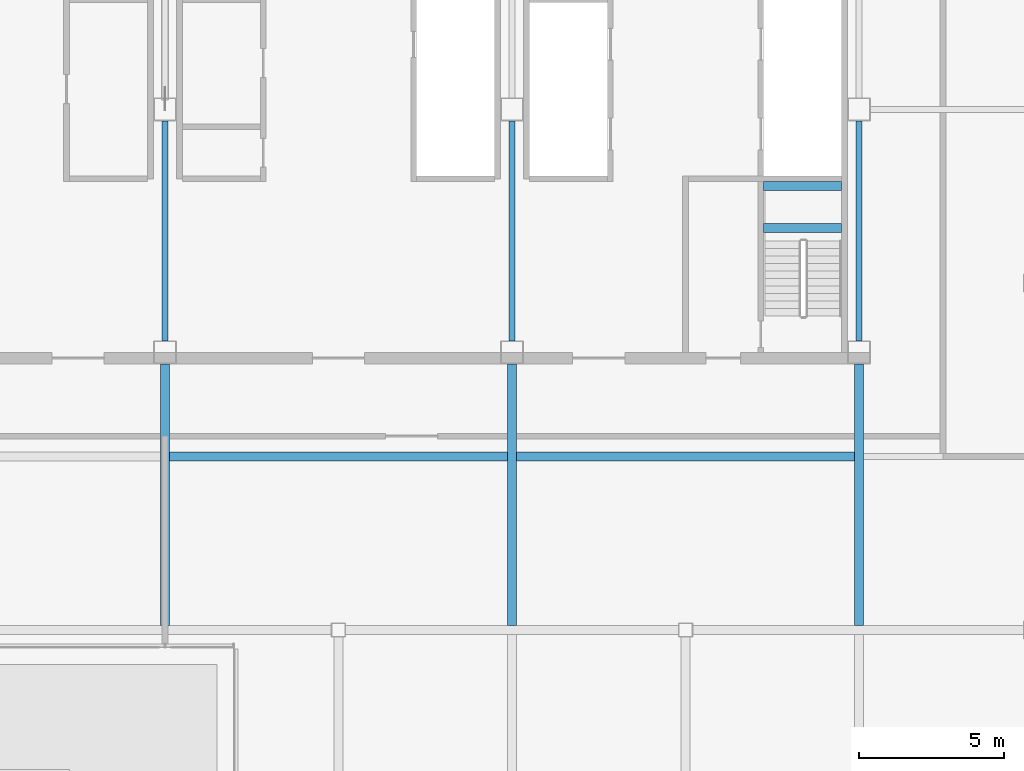
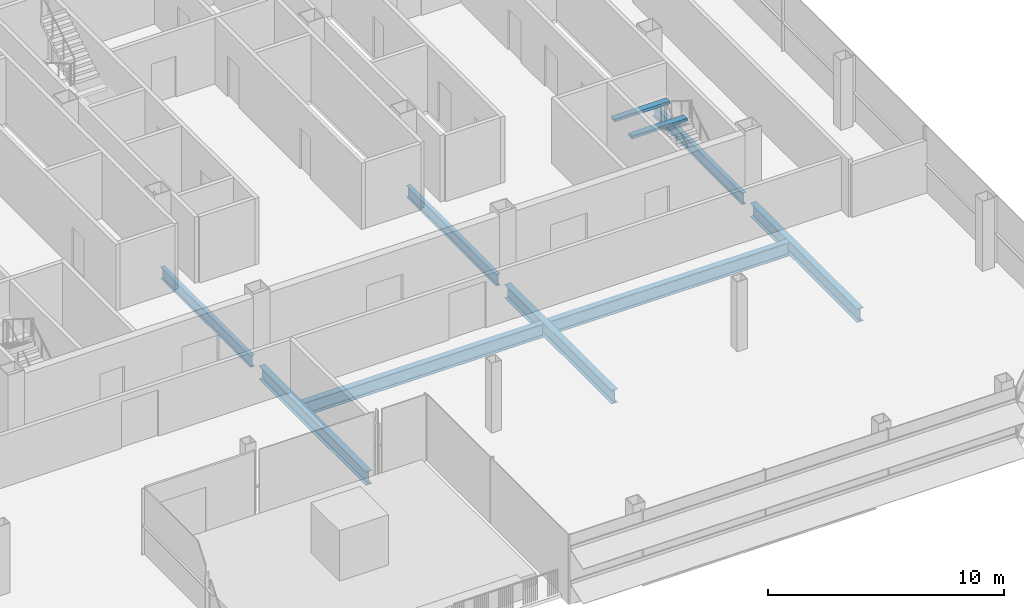
# One storey, part 11 of 27: 10 beams.
"""IFC4 building model written with IfcOpenShell, lengths in metres."""

from ifc_helpers import new_model, si_unit, direction, frame, origin, origin_2d, place, context, subcontext, project, spatial, rectangle, i_section, extrude, material, material_profile, profile_set, type_object, element, save


model = new_model("IFC4")

# Units and contexts
model_context = context("Model", 3, precision=1e-05, world=origin(), true_north=direction((0.0, 1.0)))
body_context = subcontext(model_context, "Body", "Model", "MODEL_VIEW")
ifc_project = project(units=[si_unit("LENGTHUNIT", "METRE"), si_unit("AREAUNIT", "SQUARE_METRE"), si_unit("VOLUMEUNIT", "CUBIC_METRE"), si_unit("PLANEANGLEUNIT", "RADIAN"), si_unit("MASSUNIT", "GRAM", prefix="KILO")], contexts=[model_context])

# Site, building, storey
site_placement = place(None, origin())
site = spatial("IfcSite", under=ifc_project, at=site_placement, CompositionType="ELEMENT")
building_placement = place(site_placement, origin())
building = spatial("IfcBuilding", under=site, at=building_placement, Name="Sorahane Residences", CompositionType="ELEMENT")
storey_placement = place(building_placement, frame((0.0, 0.0, 298.0)))
storey = spatial("IfcBuildingStorey", under=building, at=storey_placement, Name="L70", CompositionType="ELEMENT", Elevation=298.0)

# Beams
ifc_material_1 = material(Name="Concrete C40", Category="concrete")
ifc_material_profile_1 = material_profile(ifc_material_1, rectangle(XDim=0.300048828125, YDim=0.139892578125, at=origin_2d()), Name="300x140")
ifc_profile_set_1 = profile_set([ifc_material_profile_1], Name="Concrete C40")
beam_type_1 = type_object("IfcBeamType", Name="RC landing beam 300 x 140 Concrete C40", PredefinedType="BEAM", material=ifc_profile_set_1)
for number, where, z_axis, x_axis, name in (
    (1, (38.699951171875, 25.89990234375, 1.530029296875), (1.0, 0.0, 0.0), (0.0, 1.0, 0.0), "Landing beam"),
    (2, (38.699951171875, 27.35009765625, 1.530029296875), (1.0, 0.0, 0.0), (0.0, 1.0, 0.0), "Landing beam"),
):
    element("IfcBeam", number, at=place(storey_placement, frame(where, z_axis=z_axis, x_axis=x_axis)), inside=storey, type_object=beam_type_1, Name=name, PredefinedType="BEAM", context=body_context, shape_type="SweptSolid", body=[
        extrude(rectangle(XDim=0.300048828125, YDim=0.139892578125, at=origin_2d()), origin(), (0.0, 0.0, 1.0), 2.699951171875),
    ])
ifc_material_2 = material(Name="Steel Q355B", Category="steel")
ifc_material_profile_2 = material_profile(ifc_material_2, i_section(OverallWidth=0.199951171875, OverallDepth=0.60009765625, WebThickness=0.010986328125, FlangeThickness=0.01708984375, FilletRadius=0.02392578125, at=origin_2d()), Name="HN 600x200x11x17")
ifc_profile_set_2 = profile_set([ifc_material_profile_2], Name="Steel Q355B")
beam_type_2 = type_object("IfcBeamType", Name="Steel floor beam HN 600x200x11x17 Q355B", PredefinedType="BEAM", material=ifc_profile_set_2)
for number, where, z_axis, x_axis, name in (
    (3, (18.0, 22.0, -0.47998046875), (0.0, 1.0, 0.0), (-1.0, 0.0, 0.0), "Beam L70 040"),
    (4, (30.0, 22.0, -0.47998046875), (0.0, 1.0, 0.0), (-1.0, 0.0, 0.0), "Beam L70 048"),
    (5, (42.0, 22.0, -0.47998046875), (0.0, 1.0, 0.0), (-1.0, 0.0, 0.0), "Beam L70 056"),
):
    element("IfcBeam", number, at=place(storey_placement, frame(where, z_axis=z_axis, x_axis=x_axis)), inside=storey, type_object=beam_type_2, Name=name, PredefinedType="BEAM", context=body_context, shape_type="SweptSolid", body=[
        extrude(i_section(OverallWidth=0.199951171875, OverallDepth=0.60009765625, WebThickness=0.010986328125, FlangeThickness=0.01708984375, FilletRadius=0.02392578125, at=origin_2d()), origin(), (0.0, 0.0, 1.0), 7.60009765625),
    ])
ifc_material_3 = material(Name="Steel Q355B", Category="steel")
ifc_material_profile_3 = material_profile(ifc_material_3, i_section(OverallWidth=0.300048828125, OverallDepth=0.699951171875, WebThickness=0.012939453125, FlangeThickness=0.02392578125, FilletRadius=0.028076171875, at=origin_2d()), Name="HN 700x300x13x24")
ifc_profile_set_3 = profile_set([ifc_material_profile_3], Name="Steel Q355B")
beam_type_3 = type_object("IfcBeamType", Name="Steel floor beam HN 700x300x13x24 Q355B", PredefinedType="BEAM", material=ifc_profile_set_3)
for number, where, z_axis, x_axis, name in (
    (6, (18.0, 12.14990234375, -0.530029296875), (0.0, 1.0, 0.0), (-1.0, 0.0, 0.0), "Beam L70 039"),
    (7, (30.0, 12.14990234375, -0.530029296875), (0.0, 1.0, 0.0), (-1.0, 0.0, 0.0), "Beam L70 047"),
    (8, (42.0, 12.14990234375, -0.530029296875), (0.0, 1.0, 0.0), (-1.0, 0.0, 0.0), "Beam L70 055"),
):
    element("IfcBeam", number, at=place(storey_placement, frame(where, z_axis=z_axis, x_axis=x_axis)), inside=storey, type_object=beam_type_3, Name=name, PredefinedType="BEAM", context=body_context, shape_type="SweptSolid", body=[
        extrude(i_section(OverallWidth=0.300048828125, OverallDepth=0.699951171875, WebThickness=0.012939453125, FlangeThickness=0.02392578125, FilletRadius=0.028076171875, at=origin_2d()), origin(), (0.0, 0.0, 1.0), 9.050048828125),
    ])
for number, where, z_axis, x_axis, name in (
    (9, (18.14990234375, 18.0, -0.530029296875), (1.0, 0.0, 0.0), (0.0, 1.0, 0.0), "Beam L70 076"),
    (10, (30.14990234375, 18.0, -0.530029296875), (1.0, 0.0, 0.0), (0.0, 1.0, 0.0), "Beam L70 077"),
):
    element("IfcBeam", number, at=place(storey_placement, frame(where, z_axis=z_axis, x_axis=x_axis)), inside=storey, type_object=beam_type_3, Name=name, PredefinedType="BEAM", context=body_context, shape_type="SweptSolid", body=[
        extrude(i_section(OverallWidth=0.300048828125, OverallDepth=0.699951171875, WebThickness=0.012939453125, FlangeThickness=0.02392578125, FilletRadius=0.028076171875, at=origin_2d()), origin(), (0.0, 0.0, 1.0), 11.7001953125),
    ])

save(model, "model.ifc")
